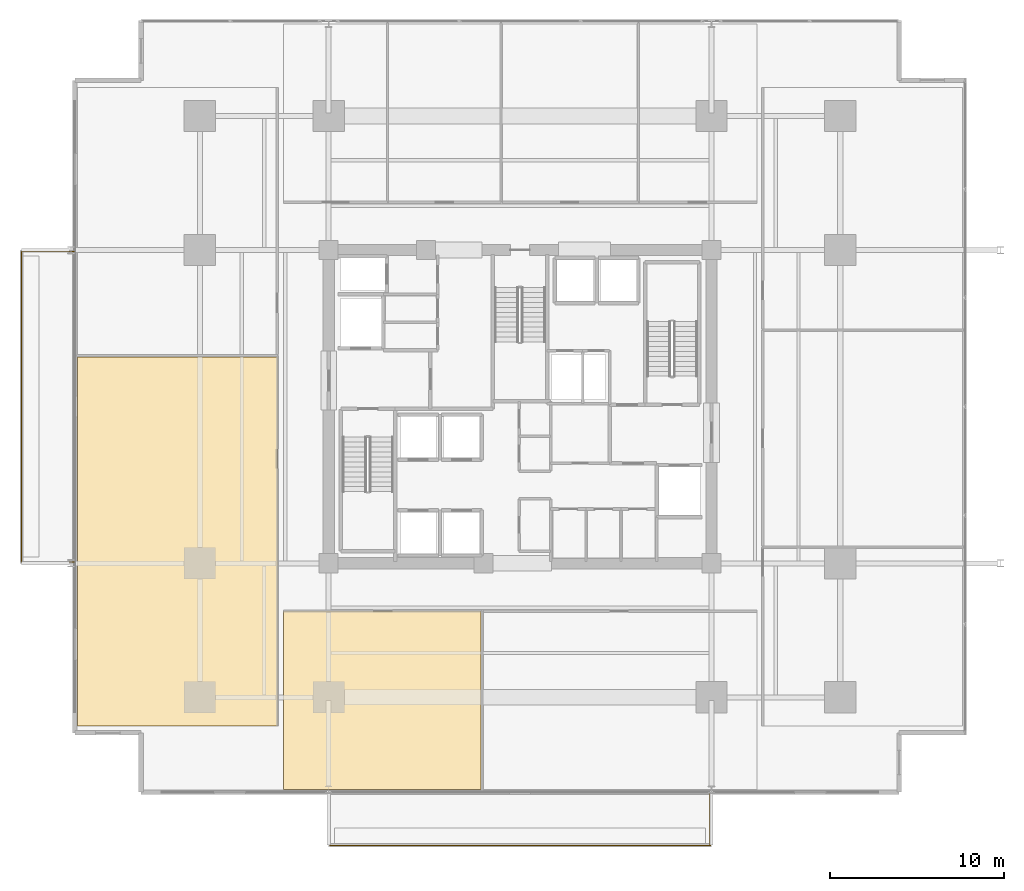
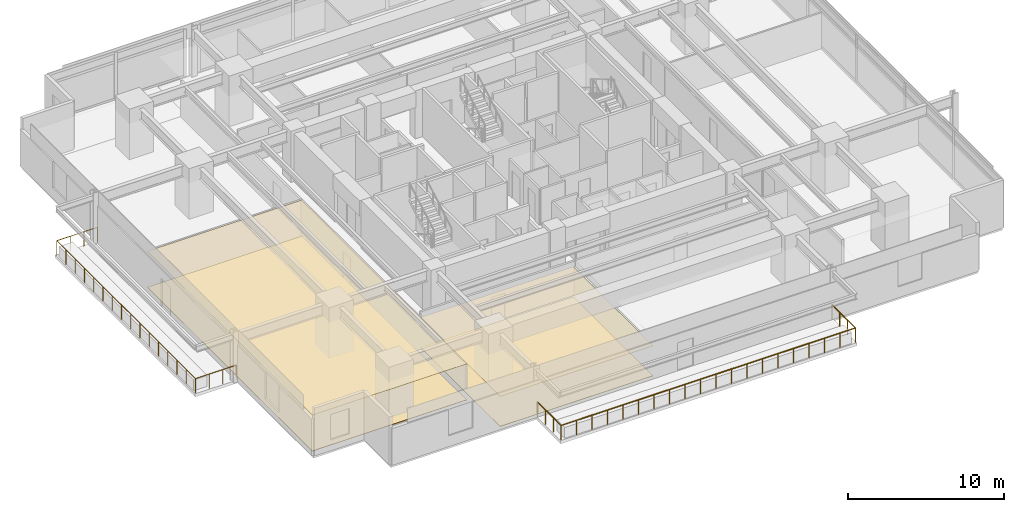
# One storey, part 18 of 22: 4 coverings, 2 railings.
"""IFC4 building model written with IfcOpenShell, lengths in metres."""

from ifc_helpers import new_model, si_unit, direction, frame, origin, origin_2d, place, context, subcontext, project, spatial, polyline, circle, outline, extrude, material, layer, layer_set, type_object, element, save


model = new_model("IFC4")

# Units and contexts
model_context = context("Model", 3, precision=1e-05, world=origin(), true_north=direction((0.0, 1.0)))
body_context = subcontext(model_context, "Body", "Model", "MODEL_VIEW")
ifc_project = project(units=[si_unit("LENGTHUNIT", "METRE"), si_unit("AREAUNIT", "SQUARE_METRE"), si_unit("VOLUMEUNIT", "CUBIC_METRE"), si_unit("PLANEANGLEUNIT", "RADIAN"), si_unit("MASSUNIT", "GRAM", prefix="KILO")], contexts=[model_context])

# Site, building, storey
site_placement = place(None, origin())
site = spatial("IfcSite", under=ifc_project, at=site_placement, CompositionType="ELEMENT")
building_placement = place(site_placement, origin())
building = spatial("IfcBuilding", under=site, at=building_placement, Name="Kovane Verandah Tower", CompositionType="ELEMENT")
storey_placement = place(building_placement, frame((0.0, 0.0, 51.60009765625)))
storey = spatial("IfcBuildingStorey", under=building, at=storey_placement, Name="L11", CompositionType="ELEMENT", Elevation=51.60009765625)

# Coverings
ifc_material_1 = material(Name="Perforated Acoustic Mineral-Fibre Ceiling Tile", Category="gypsum")
ifc_layer_1 = layer(ifc_material_1, 0.02490234375)
ifc_layer_set_1 = layer_set([ifc_layer_1], Name="Perforated Acoustic Mineral-Fibre Ceiling Tile")
covering_type_1 = type_object("IfcCoveringType", Name="CV-CEIL-25", PredefinedType="CEILING", material=ifc_layer_set_1)
covering_1_placement = place(storey_placement, frame((0.0, 0.0, 2.364990234375)))
element("IfcCovering", 1, at=covering_1_placement, inside=storey, type_object=covering_type_1, Name="L11 Collaboration Hub S1 Acoustic Ceiling", PredefinedType="CEILING", context=body_context, shape_type="SweptSolid", body=[
    extrude(outline(polyline([(26.39990234375, 5.50390625), (37.75390625, 5.50390625), (37.75390625, 15.75), (26.39990234375, 15.75), (26.39990234375, 5.50390625)])), origin(), (0.0, 0.0, 1.0), 0.02490234375),
])
covering_2_placement = place(storey_placement, frame((0.0, 0.0, 2.824951171875)))
element("IfcCovering", 2, at=covering_2_placement, inside=storey, type_object=covering_type_1, Name="L11 Open Plan Office W1 Acoustic Ceiling", PredefinedType="CEILING", context=body_context, shape_type="SweptSolid", body=[
    extrude(outline(polyline([(14.569580078125, 9.15380859375), (26.050048828125, 9.15380859375), (26.050048828125, 30.365478515625), (14.569580078125, 30.365478515625), (14.569580078125, 9.15380859375)])), origin(), (0.0, 0.0, 1.0), 0.02490234375),
])
ifc_material_2 = material(Name="Polished Terrazzo and Raised-Access Carpet Tile Finish", Category="concrete")
ifc_layer_2 = layer(ifc_material_2, 0.030029296875)
ifc_layer_set_2 = layer_set([ifc_layer_2], Name="Polished Terrazzo and Raised-Access Carpet Tile Finish")
covering_type_2 = type_object("IfcCoveringType", Name="CV-FLOR-30", PredefinedType="FLOORING", material=ifc_layer_set_2)
covering_3_placement = place(storey_placement, origin())
element("IfcCovering", 3, at=covering_3_placement, inside=storey, type_object=covering_type_2, Name="L11 Collaboration Hub S1 Floor Finish", PredefinedType="FLOORING", context=body_context, shape_type="SweptSolid", body=[
    extrude(outline(polyline([(26.39990234375, 5.50390625), (37.75390625, 5.50390625), (37.75390625, 15.75), (26.39990234375, 15.75), (26.39990234375, 5.50390625)])), origin(), (0.0, 0.0, 1.0), 0.02978515625),
])
covering_4_placement = place(storey_placement, origin())
element("IfcCovering", 4, at=covering_4_placement, inside=storey, type_object=covering_type_2, Name="L11 Open Plan Office W1 Floor Finish", PredefinedType="FLOORING", context=body_context, shape_type="SweptSolid", body=[
    extrude(outline(polyline([(14.569580078125, 9.15380859375), (26.050048828125, 9.15380859375), (26.050048828125, 30.365478515625), (14.569580078125, 30.365478515625), (14.569580078125, 9.15380859375)])), origin(), (0.0, 0.0, 1.0), 0.02978515625),
])

# Railings
ifc_material_3 = material(Name="Laminated Glass and Pale-Champagne Stainless Balustrade", Category="glass")
railing_type = type_object("IfcRailingType", Name="RL-BAL-1150", PredefinedType="BALUSTRADE", material=ifc_material_3)
railing_1_placement = place(storey_placement, frame((29.080078125, 5.3037109375, 0.0)))
element("IfcRailing", 5, at=railing_1_placement, inside=storey, type_object=railing_type, Name="L11 S Verandah Glass Balustrade", PredefinedType="BALUSTRADE", context=body_context, shape_type="SweptSolid", body=[
    extrude(circle(Radius=0.02392578125, at=origin_2d()), frame((0.0, 0.0, 1.1259765625), z_axis=(0.0, -1.0, 0.0), x_axis=(1.0, 0.0, 0.0)), (0.0, 0.0, 1.0), 3.02001953125),
    extrude(circle(Radius=0.02392578125, at=origin_2d()), frame((0.0, -3.02001953125, 1.1259765625), z_axis=(1.0, 0.0, 0.0), x_axis=(0.0, 1.0, 0.0)), (0.0, 0.0, 1.0), 21.83984375),
    extrude(circle(Radius=0.02392578125, at=origin_2d()), frame((21.83984375, -3.02001953125, 1.1259765625), z_axis=(0.0, 1.0, 0.0), x_axis=(-1.0, 0.0, 0.0)), (0.0, 0.0, 1.0), 3.02001953125),
    extrude(circle(Radius=0.02099609375, at=origin_2d()), origin(), (0.0, 0.0, 1.0), 1.101806640625),
    extrude(circle(Radius=0.02099609375, at=origin_2d()), frame((0.0, -1.006591796875, 0.0)), (0.0, 0.0, 1.0), 1.101806640625),
    extrude(circle(Radius=0.02099609375, at=origin_2d()), frame((0.0, -2.013427734375, 0.0)), (0.0, 0.0, 1.0), 1.101806640625),
    extrude(circle(Radius=0.02099609375, at=origin_2d()), frame((0.0, -3.02001953125, 0.0)), (0.0, 0.0, 1.0), 1.101806640625),
    extrude(circle(Radius=0.02099609375, at=origin_2d()), frame((1.1494140625, -3.02001953125, 0.0)), (0.0, 0.0, 1.0), 1.101806640625),
    extrude(circle(Radius=0.02099609375, at=origin_2d()), frame((2.298828125, -3.02001953125, 0.0)), (0.0, 0.0, 1.0), 1.101806640625),
    extrude(circle(Radius=0.02099609375, at=origin_2d()), frame((3.448486328125, -3.02001953125, 0.0)), (0.0, 0.0, 1.0), 1.101806640625),
    extrude(circle(Radius=0.02099609375, at=origin_2d()), frame((4.597900390625, -3.02001953125, 0.0)), (0.0, 0.0, 1.0), 1.101806640625),
    extrude(circle(Radius=0.02099609375, at=origin_2d()), frame((5.747314453125, -3.02001953125, 0.0)), (0.0, 0.0, 1.0), 1.101806640625),
    extrude(circle(Radius=0.02099609375, at=origin_2d()), frame((6.896728515625, -3.02001953125, 0.0)), (0.0, 0.0, 1.0), 1.101806640625),
    extrude(circle(Radius=0.02099609375, at=origin_2d()), frame((8.046142578125, -3.02001953125, 0.0)), (0.0, 0.0, 1.0), 1.101806640625),
    extrude(circle(Radius=0.02099609375, at=origin_2d()), frame((9.19580078125, -3.02001953125, 0.0)), (0.0, 0.0, 1.0), 1.101806640625),
    extrude(circle(Radius=0.02099609375, at=origin_2d()), frame((10.34521484375, -3.02001953125, 0.0)), (0.0, 0.0, 1.0), 1.101806640625),
    extrude(circle(Radius=0.02099609375, at=origin_2d()), frame((11.49462890625, -3.02001953125, 0.0)), (0.0, 0.0, 1.0), 1.101806640625),
    extrude(circle(Radius=0.02099609375, at=origin_2d()), frame((12.64404296875, -3.02001953125, 0.0)), (0.0, 0.0, 1.0), 1.101806640625),
    extrude(circle(Radius=0.02099609375, at=origin_2d()), frame((13.793701171875, -3.02001953125, 0.0)), (0.0, 0.0, 1.0), 1.101806640625),
    extrude(circle(Radius=0.02099609375, at=origin_2d()), frame((14.943115234375, -3.02001953125, 0.0)), (0.0, 0.0, 1.0), 1.101806640625),
    extrude(circle(Radius=0.02099609375, at=origin_2d()), frame((16.092529296875, -3.02001953125, 0.0)), (0.0, 0.0, 1.0), 1.101806640625),
    extrude(circle(Radius=0.02099609375, at=origin_2d()), frame((17.241943359375, -3.02001953125, 0.0)), (0.0, 0.0, 1.0), 1.101806640625),
    extrude(circle(Radius=0.02099609375, at=origin_2d()), frame((18.391357421875, -3.02001953125, 0.0)), (0.0, 0.0, 1.0), 1.101806640625),
    extrude(circle(Radius=0.02099609375, at=origin_2d()), frame((19.541015625, -3.02001953125, 0.0)), (0.0, 0.0, 1.0), 1.101806640625),
    extrude(circle(Radius=0.02099609375, at=origin_2d()), frame((20.6904296875, -3.02001953125, 0.0)), (0.0, 0.0, 1.0), 1.101806640625),
    extrude(circle(Radius=0.02099609375, at=origin_2d()), frame((21.83984375, -3.02001953125, 0.0)), (0.0, 0.0, 1.0), 1.101806640625),
    extrude(circle(Radius=0.02099609375, at=origin_2d()), frame((21.83984375, -2.013427734375, 0.0)), (0.0, 0.0, 1.0), 1.101806640625),
    extrude(circle(Radius=0.02099609375, at=origin_2d()), frame((21.83984375, -1.006591796875, 0.0)), (0.0, 0.0, 1.0), 1.101806640625),
    extrude(circle(Radius=0.02099609375, at=origin_2d()), frame((21.83984375, 0.0, 0.0)), (0.0, 0.0, 1.0), 1.101806640625),
])
railing_2_placement = place(storey_placement, frame((14.36962890625, 18.580078125, 0.0)))
element("IfcRailing", 6, at=railing_2_placement, inside=storey, type_object=railing_type, Name="L11 W Verandah Glass Balustrade", PredefinedType="BALUSTRADE", context=body_context, shape_type="SweptSolid", body=[
    extrude(circle(Radius=0.02392578125, at=origin_2d()), frame((0.0, 0.0, 1.1259765625), z_axis=(-1.0, 0.0, 0.0), x_axis=(0.0, -1.0, 0.0)), (0.0, 0.0, 1.0), 3.02001953125),
    extrude(circle(Radius=0.02392578125, at=origin_2d()), frame((-3.02001953125, 0.0, 1.1259765625), z_axis=(0.0, 1.0, 0.0), x_axis=(-1.0, 0.0, 0.0)), (0.0, 0.0, 1.0), 17.83984375),
    extrude(circle(Radius=0.02392578125, at=origin_2d()), frame((-3.02001953125, 17.83984375, 1.1259765625), z_axis=(1.0, 0.0, 0.0), x_axis=(0.0, 1.0, 0.0)), (0.0, 0.0, 1.0), 3.02001953125),
    extrude(circle(Radius=0.02099609375, at=origin_2d()), origin(), (0.0, 0.0, 1.0), 1.101806640625),
    extrude(circle(Radius=0.02099609375, at=origin_2d()), frame((-1.006591796875, 0.0, 0.0)), (0.0, 0.0, 1.0), 1.101806640625),
    extrude(circle(Radius=0.02099609375, at=origin_2d()), frame((-2.013427734375, 0.0, 0.0)), (0.0, 0.0, 1.0), 1.101806640625),
    extrude(circle(Radius=0.02099609375, at=origin_2d()), frame((-3.02001953125, 0.0, 0.0)), (0.0, 0.0, 1.0), 1.101806640625),
    extrude(circle(Radius=0.02099609375, at=origin_2d()), frame((-3.02001953125, 1.189208984375, 0.0)), (0.0, 0.0, 1.0), 1.101806640625),
    extrude(circle(Radius=0.02099609375, at=origin_2d()), frame((-3.02001953125, 2.378662109375, 0.0)), (0.0, 0.0, 1.0), 1.101806640625),
    extrude(circle(Radius=0.02099609375, at=origin_2d()), frame((-3.02001953125, 3.56787109375, 0.0)), (0.0, 0.0, 1.0), 1.101806640625),
    extrude(circle(Radius=0.02099609375, at=origin_2d()), frame((-3.02001953125, 4.75732421875, 0.0)), (0.0, 0.0, 1.0), 1.101806640625),
    extrude(circle(Radius=0.02099609375, at=origin_2d()), frame((-3.02001953125, 5.946533203125, 0.0)), (0.0, 0.0, 1.0), 1.101806640625),
    extrude(circle(Radius=0.02099609375, at=origin_2d()), frame((-3.02001953125, 7.135986328125, 0.0)), (0.0, 0.0, 1.0), 1.101806640625),
    extrude(circle(Radius=0.02099609375, at=origin_2d()), frame((-3.02001953125, 8.3251953125, 0.0)), (0.0, 0.0, 1.0), 1.101806640625),
    extrude(circle(Radius=0.02099609375, at=origin_2d()), frame((-3.02001953125, 9.5146484375, 0.0)), (0.0, 0.0, 1.0), 1.101806640625),
    extrude(circle(Radius=0.02099609375, at=origin_2d()), frame((-3.02001953125, 10.703857421875, 0.0)), (0.0, 0.0, 1.0), 1.101806640625),
    extrude(circle(Radius=0.02099609375, at=origin_2d()), frame((-3.02001953125, 11.893310546875, 0.0)), (0.0, 0.0, 1.0), 1.101806640625),
    extrude(circle(Radius=0.02099609375, at=origin_2d()), frame((-3.02001953125, 13.08251953125, 0.0)), (0.0, 0.0, 1.0), 1.101806640625),
    extrude(circle(Radius=0.02099609375, at=origin_2d()), frame((-3.02001953125, 14.27197265625, 0.0)), (0.0, 0.0, 1.0), 1.101806640625),
    extrude(circle(Radius=0.02099609375, at=origin_2d()), frame((-3.02001953125, 15.461181640625, 0.0)), (0.0, 0.0, 1.0), 1.101806640625),
    extrude(circle(Radius=0.02099609375, at=origin_2d()), frame((-3.02001953125, 16.650634765625, 0.0)), (0.0, 0.0, 1.0), 1.101806640625),
    extrude(circle(Radius=0.02099609375, at=origin_2d()), frame((-3.02001953125, 17.83984375, 0.0)), (0.0, 0.0, 1.0), 1.101806640625),
    extrude(circle(Radius=0.02099609375, at=origin_2d()), frame((-2.013427734375, 17.83984375, 0.0)), (0.0, 0.0, 1.0), 1.101806640625),
    extrude(circle(Radius=0.02099609375, at=origin_2d()), frame((-1.006591796875, 17.83984375, 0.0)), (0.0, 0.0, 1.0), 1.101806640625),
    extrude(circle(Radius=0.02099609375, at=origin_2d()), frame((0.0, 17.83984375, 0.0)), (0.0, 0.0, 1.0), 1.101806640625),
])

save(model, "model.ifc")
